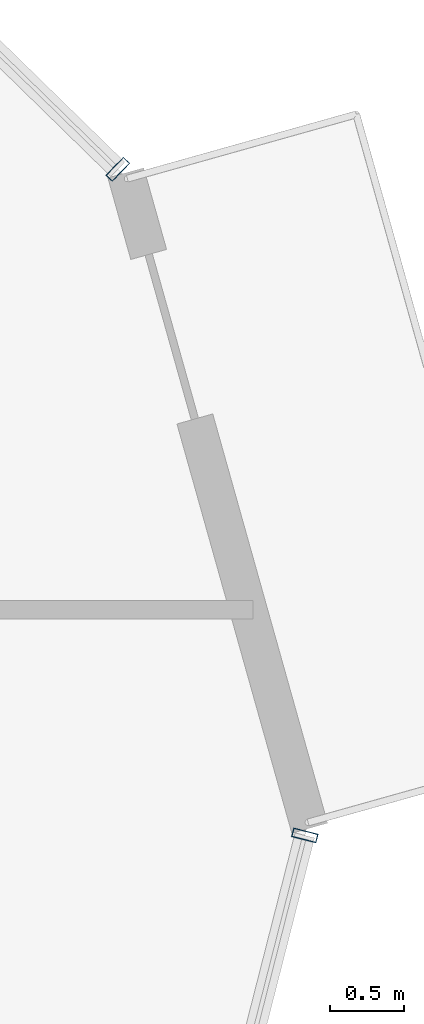
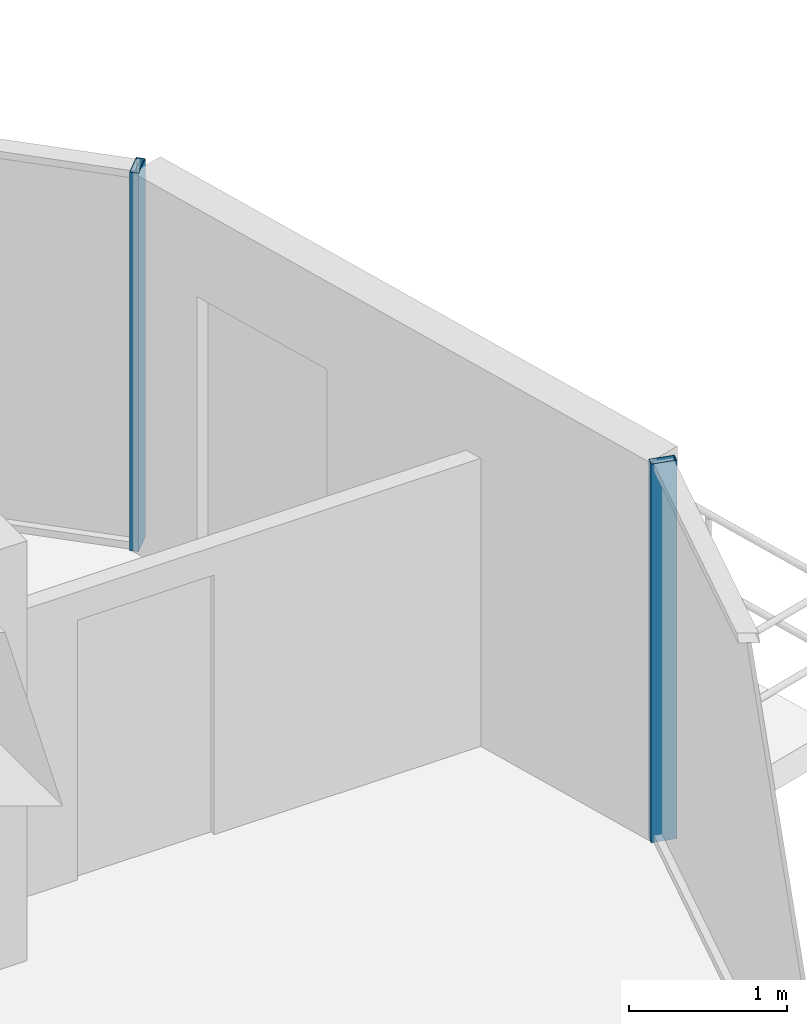
# One storey, part 21 of 39: 2 members, 2 elements without a shape of their own.
"""IFC4 building model written with IfcOpenShell, lengths in metres."""

import ifcopenshell
import ifcopenshell.guid

model = None  # the IFC model being written
_history = None  # IfcOwnerHistory: only IFC2X3 demands one
_inside = {}  # id of a spatial element -> (the spatial element, [elements in it])
_under = {}  # id of a project, library or spatial element -> (it, [spatial elements below it])
_declared = {}  # id of a project -> (the project, [libraries it declares])
_typed = {}  # id of a type object -> (the type object, [elements of that type])
_made_of = {}  # id of a material, layer set ... -> (it, [elements and type objects made of it])


def new_model(schema):
    """Start an empty IFC model of exactly this schema.

    Asked for "IFC4X3", IfcOpenShell would pick the latest addendum, in which some entities
    have other attributes; the version numbers below select the first issue.
    IFC2X3 requires an IfcOwnerHistory on every rooted entity: one is made here for all.
    """
    global model, _history
    if schema == "IFC4X3":
        model = ifcopenshell.file(schema_version=(4, 3, 0, 0))
    else:
        model = ifcopenshell.file(schema=schema)
    _inside.clear()
    _under.clear()
    _declared.clear()
    _typed.clear()
    _made_of.clear()
    _history = None
    if model.schema == "IFC2X3":
        org = make("IfcOrganization", Name="unknown")
        user = make(
            "IfcPersonAndOrganization",
            ThePerson=make("IfcPerson", FamilyName="unknown"),
            TheOrganization=org,
        )
        app = make(
            "IfcApplication",
            ApplicationDeveloper=org,
            Version="unknown",
            ApplicationFullName="unknown",
            ApplicationIdentifier="unknown",
        )
        _history = make(
            "IfcOwnerHistory",
            OwningUser=user,
            OwningApplication=app,
            ChangeAction="ADDED",
            CreationDate=0,
        )
    return model


def make(cls, **values):
    """One entity of the class cls with the attributes given. An attribute that is None is left unset."""
    return model.create_entity(
        cls, **{name: value for name, value in values.items() if value is not None}
    )


def rooted(cls, **values):
    """An entity with a GlobalId (a new one), such as an element, a storey or a relation."""
    return make(cls, GlobalId=ifcopenshell.guid.new(), OwnerHistory=_history, **values)


def si_unit(unit_type, name, prefix=None):
    """IfcSIUnit, for example si_unit("LENGTHUNIT", "METRE", prefix="MILLI")."""
    return make("IfcSIUnit", UnitType=unit_type, Prefix=prefix, Name=name)


def assignment(units):
    """IfcUnitAssignment: the units of a project."""
    return None if units is None else make("IfcUnitAssignment", Units=units)


def point(xyz):
    """IfcCartesianPoint."""
    return None if xyz is None else make("IfcCartesianPoint", Coordinates=xyz)


def direction(xyz):
    """IfcDirection."""
    return None if xyz is None else make("IfcDirection", DirectionRatios=xyz)


def frame(location, z_axis=None, x_axis=None):
    """IfcAxis2Placement3D, a coordinate frame: its origin and axes. An axis left out is left unset."""
    return make(
        "IfcAxis2Placement3D",
        Location=point(location),
        Axis=direction(z_axis),
        RefDirection=direction(x_axis),
    )


def frame_2d(location, x_axis=None):
    """IfcAxis2Placement2D, a coordinate frame in the plane: its origin and x axis."""
    return make(
        "IfcAxis2Placement2D", Location=point(location), RefDirection=direction(x_axis)
    )


def origin():
    """The frame at (0, 0, 0) with its axes left unset."""
    return frame((0.0, 0.0, 0.0))


def origin_2d():
    """The frame at (0, 0) in the plane with its x axis left unset."""
    return frame_2d((0.0, 0.0))


def place(relative_to, where):
    """IfcLocalPlacement: puts the frame where relative to a parent placement (None: the world)."""
    return make(
        "IfcLocalPlacement", PlacementRelTo=relative_to, RelativePlacement=where
    )


def context(
    kind, dimensions, precision=None, world=None, true_north=None, identifier=None
):
    """IfcGeometricRepresentationContext, for example the 3D "Model" context."""
    return make(
        "IfcGeometricRepresentationContext",
        ContextIdentifier=identifier,
        ContextType=kind,
        CoordinateSpaceDimension=dimensions,
        Precision=precision,
        WorldCoordinateSystem=world,
        TrueNorth=true_north,
    )


def subcontext(parent, identifier, kind, view, scale=None):
    """IfcGeometricRepresentationSubContext, for example "Body" below "Model"."""
    return make(
        "IfcGeometricRepresentationSubContext",
        ContextIdentifier=identifier,
        ContextType=kind,
        ParentContext=parent,
        TargetScale=scale,
        TargetView=view,
    )


def project(units=None, contexts=None):
    """IfcProject with its units and contexts."""
    return rooted(
        "IfcProject",
        Name="project",
        RepresentationContexts=contexts,
        UnitsInContext=assignment(units),
    )


def spatial(cls, under=None, at=None, **own):
    """A site, building, storey or space (cls), placed at a placement, below another one or the project."""
    s = rooted(cls, ObjectPlacement=at, **own)
    if under is not None:
        _under.setdefault(under.id(), (under, []))[1].append(s)
    return s


def profile(cls, at=None, kind="AREA", **sizes):
    """A parametric profile (cls). Its sizes go by their IFC names, for example OverallWidth=200.0."""
    return make(cls, ProfileType=kind, Position=at, **sizes)


def hollow_rectangle(**sizes):
    """IfcRectangleHollowProfileDef."""
    return profile("IfcRectangleHollowProfileDef", **sizes)


def extrude(swept, where, along, depth):
    """IfcExtrudedAreaSolid: the profile swept, set in the frame where, extruded along a direction by depth."""
    return make(
        "IfcExtrudedAreaSolid",
        SweptArea=swept,
        Position=where,
        ExtrudedDirection=direction(along),
        Depth=depth,
    )


def shape(context_of_items, identifier, shape_type, items):
    """IfcShapeRepresentation: the items that make up one representation, for example the "Body"."""
    return make(
        "IfcShapeRepresentation",
        ContextOfItems=context_of_items,
        RepresentationIdentifier=identifier,
        RepresentationType=shape_type,
        Items=items,
    )


def source(mapping_origin, context_of_items, identifier, shape_type, items):
    """IfcRepresentationMap: a shape defined once, which mapped items show again and again."""
    return make(
        "IfcRepresentationMap",
        MappingOrigin=mapping_origin,
        MappedRepresentation=shape(context_of_items, identifier, shape_type, items),
    )


def transform(
    local_origin,
    x_axis=None,
    y_axis=None,
    z_axis=None,
    scale=None,
    scale2=None,
    scale3=None,
    uniform=True,
):
    """IfcCartesianTransformationOperator3D, or its non-uniform kind. x_axis, y_axis, z_axis: its Axis1, 2, 3."""
    if uniform:
        return make(
            "IfcCartesianTransformationOperator3D",
            Axis1=direction(x_axis),
            Axis2=direction(y_axis),
            LocalOrigin=point(local_origin),
            Scale=scale,
            Axis3=direction(z_axis),
        )
    return make(
        "IfcCartesianTransformationOperator3DnonUniform",
        Axis1=direction(x_axis),
        Axis2=direction(y_axis),
        LocalOrigin=point(local_origin),
        Scale=scale,
        Axis3=direction(z_axis),
        Scale2=scale2,
        Scale3=scale3,
    )


def mapped(mapping_source, mapping_target):
    """IfcMappedItem: shows the shape of a source again, moved by a transform."""
    return make(
        "IfcMappedItem", MappingSource=mapping_source, MappingTarget=mapping_target
    )


def material(Name=None, Category=None):
    """IfcMaterial."""
    return make("IfcMaterial", Name=Name, Category=Category)


def layer(
    of_material, thickness, ventilated=None, Name=None, Category=None, Priority=None
):
    """IfcMaterialLayer: one layer of a wall or slab, of a material (None: an air gap)."""
    return make(
        "IfcMaterialLayer",
        Material=of_material,
        LayerThickness=thickness,
        IsVentilated=ventilated,
        Name=Name,
        Category=Category,
        Priority=Priority,
    )


def layer_set(layers, Name=None):
    """IfcMaterialLayerSet."""
    return make("IfcMaterialLayerSet", MaterialLayers=layers, LayerSetName=Name)


def material_profile(
    of_material, cross_section, Name=None, Category=None, Priority=None
):
    """IfcMaterialProfile: a cross section and its material."""
    return make(
        "IfcMaterialProfile",
        Name=Name,
        Material=of_material,
        Profile=cross_section,
        Priority=Priority,
        Category=Category,
    )


def profile_set(profiles, Name=None, composite=None):
    """IfcMaterialProfileSet."""
    return make(
        "IfcMaterialProfileSet",
        Name=Name,
        MaterialProfiles=profiles,
        CompositeProfile=composite,
    )


def made_of(thing, what):
    """Note that an element or type object is made of a material, layer set ...; save() writes the relation."""
    if what is not None:
        _made_of.setdefault(what.id(), (what, []))[1].append(thing)
    return thing


def type_object(cls, material=None, **own):
    """A type object (cls), such as IfcWallType, which elements share."""
    return made_of(rooted(cls, **own), material)


def element(
    cls,
    number,
    at=None,
    inside=None,
    cuts=None,
    type_object=None,
    material=None,
    context=None,
    identifier="Body",
    shape_type=None,
    held_by="IfcProductDefinitionShape",
    body=None,
    shapes=None,
    **own,
):
    """One element of the class cls, such as IfcWall. Its Tag is "e" and its number.

    at: its placement. inside: the storey or other place that contains it. cuts: it is an
    opening in that element (IfcRelVoidsElement). A single representation is given by context,
    identifier, shape_type and body (its items); several are given by shapes. held_by: the class
    of the entity that holds the representations. save() writes the other relations.
    """
    e = rooted(cls, Tag="e%d" % number, ObjectPlacement=at, **own)
    if body is not None:
        shapes = [shape(context, identifier, shape_type, body)]
    if shapes is not None:
        e.Representation = make(held_by, Representations=shapes)
    if inside is not None:
        _inside.setdefault(inside.id(), (inside, []))[1].append(e)
    if cuts is not None:
        rooted(
            "IfcRelVoidsElement", RelatingBuildingElement=cuts, RelatedOpeningElement=e
        )
    if type_object is not None:
        _typed.setdefault(type_object.id(), (type_object, []))[1].append(e)
    return made_of(e, material)


def aggregate(whole, parts):
    """IfcRelAggregates: a whole, such as a stair, and the parts it consists of."""
    return rooted("IfcRelAggregates", RelatingObject=whole, RelatedObjects=parts)


def save(model, path):
    """Write the relations noted so far, then the file.

    IfcRelAggregates (storeys below a building ...), IfcRelContainedInSpatialStructure (elements
    in a storey), IfcRelDefinesByType, IfcRelAssociatesMaterial and IfcRelDeclares: one each for
    every whole, place, type object, material and project.
    """
    for whole, parts in _under.values():
        aggregate(whole, parts)
    for where, things in _inside.values():
        rooted(
            "IfcRelContainedInSpatialStructure",
            RelatedElements=things,
            RelatingStructure=where,
        )
    for kind, things in _typed.values():
        rooted("IfcRelDefinesByType", RelatedObjects=things, RelatingType=kind)
    for what, things in _made_of.values():
        rooted("IfcRelAssociatesMaterial", RelatedObjects=things, RelatingMaterial=what)
    for by, libraries in _declared.values():
        rooted("IfcRelDeclares", RelatingContext=by, RelatedDefinitions=libraries)
    model.write(path)


model = new_model("IFC4")

# Units and contexts
model_context = context("Model", 3, precision=1e-05, world=origin(), true_north=direction((0.0, 1.0)))
body_context = subcontext(model_context, "Body", "Model", "MODEL_VIEW")
ifc_project = project(units=[si_unit("LENGTHUNIT", "METRE"), si_unit("AREAUNIT", "SQUARE_METRE"), si_unit("VOLUMEUNIT", "CUBIC_METRE"), si_unit("PLANEANGLEUNIT", "RADIAN"), si_unit("MASSUNIT", "GRAM", prefix="KILO")], contexts=[model_context])

# Site, building, storey
site_placement = place(None, origin())
site = spatial("IfcSite", under=ifc_project, at=site_placement, CompositionType="ELEMENT")
building_placement = place(site_placement, origin())
building = spatial("IfcBuilding", under=site, at=building_placement, Name="Veraguas Prism Commons", CompositionType="ELEMENT")
storey_placement = place(building_placement, frame((0.0, 0.0, 77.10009765625)))
storey = spatial("IfcBuildingStorey", under=building, at=storey_placement, Name="L21", CompositionType="ELEMENT", Elevation=77.10009765625)

# Curtain wall, member
ifc_material = material(Name="Anodised aluminium EN AW-6063 T6", Category="aluminium")
ifc_layer = layer(ifc_material, 0.169921875, Name="Unitised Flush Curtain Wall Zone 1", Category="aluminium")
ifc_layer_set = layer_set([ifc_layer], Name="Anodised aluminium EN AW-6063 T6")
curtain_wall_type = type_object("IfcCurtainWallType", Name="Unitised Flush Curtain Wall Zone 1", PredefinedType="NOTDEFINED", material=ifc_layer_set)
curtain_wall_1_placement = place(storey_placement, origin())
curtain_wall_1 = element("IfcCurtainWall", 1, at=curtain_wall_1_placement, inside=storey, type_object=curtain_wall_type, Name="Tower Facade Curtain Wall L21-F1", PredefinedType="NOTDEFINED")
ifc_material_profile = material_profile(ifc_material, hollow_rectangle(XDim=0.06005859375, YDim=0.169921875, WallThickness=0.00390625, at=origin_2d()), Name="AL60X170X4")
ifc_profile_set = profile_set([ifc_material_profile], Name="Anodised aluminium EN AW-6063 T6")
member_type = type_object("IfcMemberType", Name="Curtain Wall Mullion Lower AL 60x170x4", PredefinedType="MULLION", material=ifc_profile_set)
shared_shape = source(origin(), body_context, "Body", "SweptSolid", [
    extrude(hollow_rectangle(XDim=0.06005859375, YDim=0.169921875, WallThickness=0.00390625, at=origin_2d()), origin(), (0.0, 0.0, 1.0), 2.929931640625),
])
member_1_placement = place(storey_placement, frame((45.183837890625, 32.3642578125, 0.0), z_axis=(0.0, 0.0, 1.0), x_axis=(-0.715448897181, 0.698665066769, 0.0)))
member_1 = element("IfcMember", 2, at=member_1_placement, type_object=member_type, Name="CW-Z1 Mullion 1", PredefinedType="MULLION", context=body_context, shape_type="MappedRepresentation", body=[
    mapped(shared_shape, transform((0.0, 0.0, 0.0), scale=1.0)),
])
aggregate(curtain_wall_1, [member_1])

curtain_wall_2_placement = place(storey_placement, origin())
curtain_wall_2 = element("IfcCurtainWall", 3, at=curtain_wall_2_placement, inside=storey, type_object=curtain_wall_type, Name="Tower Facade Curtain Wall L21-F6", PredefinedType="NOTDEFINED")
member_2_placement = place(storey_placement, frame((46.442138671875, 27.8818359375, 0.0), z_axis=(0.0, 0.0, 1.0), x_axis=(0.247340630168, 0.968928590077, 0.0)))
member_2 = element("IfcMember", 4, at=member_2_placement, type_object=member_type, Name="CW-Z1 Mullion 5", PredefinedType="MULLION", context=body_context, shape_type="MappedRepresentation", body=[
    mapped(shared_shape, transform((0.0, 0.0, 0.0), scale=1.0)),
])
aggregate(curtain_wall_2, [member_2])

save(model, "model.ifc")
